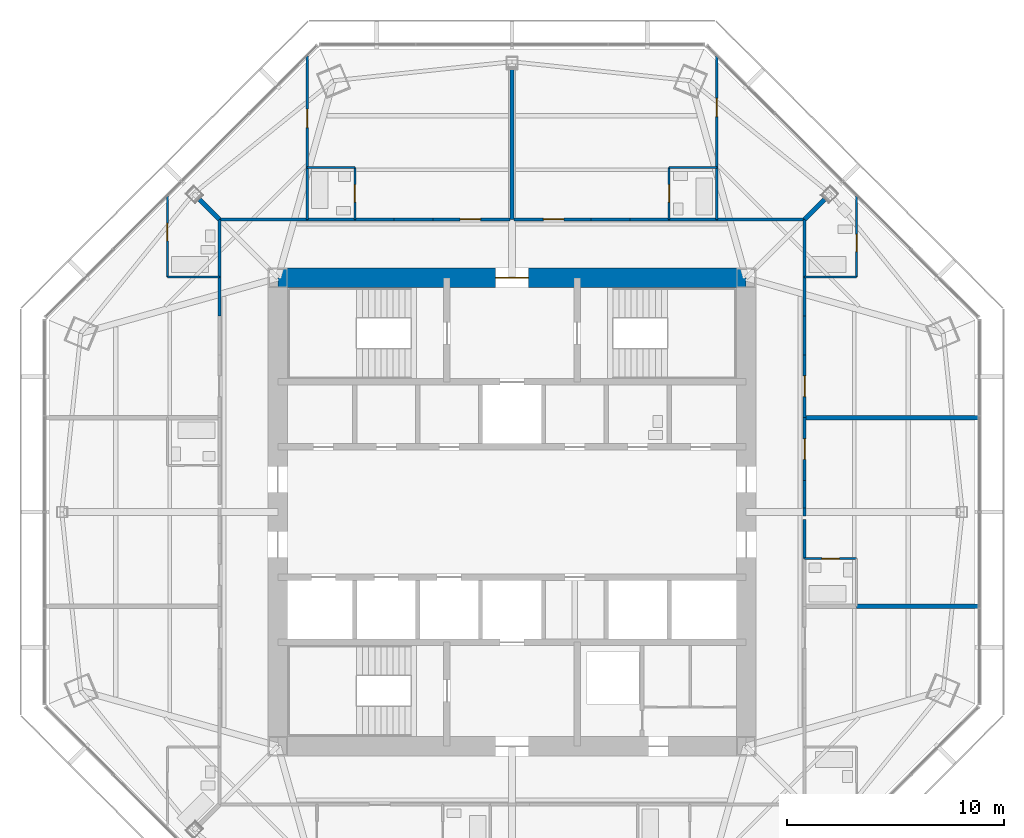
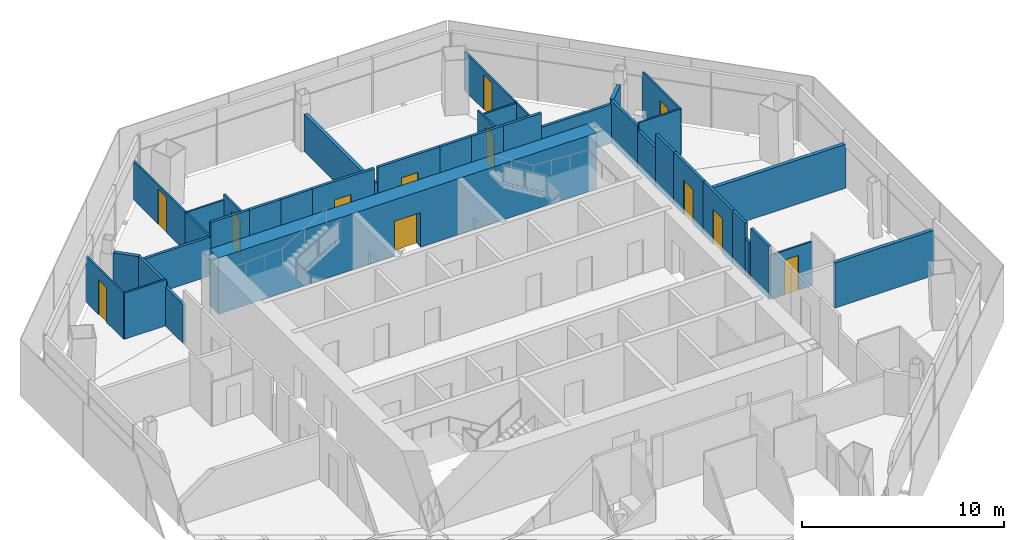
# One storey, part 11 of 15: 39 walls, 12 doors, 12 openings.
"""IFC4 building model written with IfcOpenShell, lengths in metres."""

from ifc_helpers import new_model, si_unit, direction, frame, frame_2d, origin, place, context, subcontext, project, spatial, rectangle, extrude, material, layer, layer_set, type_object, element, fill, save


model = new_model("IFC4")

# Units and contexts
model_context = context("Model", 3, precision=1e-05, world=origin(), true_north=direction((0.0, 1.0)))
body_context = subcontext(model_context, "Body", "Model", "MODEL_VIEW")
ifc_project = project(units=[si_unit("LENGTHUNIT", "METRE"), si_unit("AREAUNIT", "SQUARE_METRE"), si_unit("VOLUMEUNIT", "CUBIC_METRE"), si_unit("PLANEANGLEUNIT", "RADIAN"), si_unit("MASSUNIT", "GRAM", prefix="KILO")], contexts=[model_context])

# Site, building, storey
site_placement = place(None, origin())
site = spatial("IfcSite", under=ifc_project, at=site_placement, CompositionType="ELEMENT")
building_placement = place(site_placement, origin())
building = spatial("IfcBuilding", under=site, at=building_placement, Name="Mashrafa Tower", CompositionType="ELEMENT")
storey_placement = place(building_placement, frame((0.0, 0.0, 227.800048828125)))
storey = spatial("IfcBuildingStorey", under=building, at=storey_placement, Name="L53", CompositionType="ELEMENT", Elevation=227.800048828125)

# Walls
ifc_material_1 = material(Name="Gypsum board on steel studs", Category="steel")
ifc_layer_1 = layer(ifc_material_1, 0.199951171875)
ifc_layer_set_1 = layer_set([ifc_layer_1], Name="Acoustic partition 200 1 hr")
wall_type_1 = type_object("IfcWallType", Name="Acoustic partition 200 1 hr", PredefinedType="PARTITIONING", material=ifc_layer_set_1)
wall_1_placement = place(storey_placement, frame((21.552490234375, -4.35009765625, 0.0), z_axis=(0.0, 0.0, 1.0), x_axis=(-1.0, 0.0, 0.0)))
element("IfcWall", 1, at=wall_1_placement, inside=storey, type_object=wall_type_1, Name="Acoustic wall L53-050", PredefinedType="PARTITIONING", context=body_context, shape_type="SweptSolid", body=[
    extrude(rectangle(XDim=5.653564453125, YDim=0.199951171875, at=frame_2d((2.82666015625, 0.0))), origin(), (0.0, 0.0, 1.0), 2.730224609375),
])
wall_2_placement = place(storey_placement, frame((21.552490234375, 4.35009765625, 0.0), z_axis=(0.0, 0.0, 1.0), x_axis=(-1.0, 0.0, 0.0)))
element("IfcWall", 2, at=wall_2_placement, inside=storey, type_object=wall_type_1, Name="Acoustic wall L53-053", PredefinedType="PARTITIONING", context=body_context, shape_type="SweptSolid", body=[
    extrude(rectangle(XDim=8.052490234375, YDim=0.199951171875, at=frame_2d((4.0263671875, 0.0))), origin(), (0.0, 0.0, 1.0), 2.6640625),
])
wall_3_placement = place(storey_placement, frame((14.4287109375, 14.4287109375, 0.0), z_axis=(0.0, 0.0, 1.0), x_axis=(-0.707106781187, -0.707106781187, 0.0)))
element("IfcWall", 3, at=wall_3_placement, inside=storey, type_object=wall_type_1, Name="Acoustic wall L53-056", PredefinedType="PARTITIONING", context=body_context, shape_type="SweptSolid", body=[
    extrude(rectangle(XDim=1.3134765625, YDim=0.199951171875, at=frame_2d((0.65673828125, 0.0))), origin(), (0.0, 0.0, 1.0), 2.582763671875),
])
wall_4_placement = place(storey_placement, frame((0.0, 20.4052734375, 0.0), z_axis=(0.0, 0.0, 1.0), x_axis=(0.0, -1.0, 0.0)))
element("IfcWall", 4, at=wall_4_placement, inside=storey, type_object=wall_type_1, Name="Acoustic wall L53-061", PredefinedType="PARTITIONING", context=body_context, shape_type="SweptSolid", body=[
    extrude(rectangle(XDim=6.9052734375, YDim=0.199951171875, at=frame_2d((3.45263671875, 0.0))), origin(), (0.0, 0.0, 1.0), 2.2529296875),
])
wall_5_placement = place(storey_placement, frame((-14.4287109375, 14.4287109375, 0.0), z_axis=(0.0, 0.0, 1.0), x_axis=(0.707106781187, -0.707106781187, 0.0)))
element("IfcWall", 5, at=wall_5_placement, inside=storey, type_object=wall_type_1, Name="Acoustic wall L53-064", PredefinedType="PARTITIONING", context=body_context, shape_type="SweptSolid", body=[
    extrude(rectangle(XDim=1.3134765625, YDim=0.199951171875, at=frame_2d((0.65673828125, 0.0))), origin(), (0.0, 0.0, 1.0), 2.582763671875),
])

# Wall, opening, door
ifc_material_2 = material(Name="Concrete C50/60", Category="concrete")
ifc_layer_2 = layer(ifc_material_2, 0.89990234375)
ifc_layer_set_2 = layer_set([ifc_layer_2], Name="Core wall 900 C50/60")
wall_type_2 = type_object("IfcWallType", Name="Core wall 900 C50/60", PredefinedType="SOLIDWALL", material=ifc_layer_set_2)
wall_6_placement = place(storey_placement, frame((10.800048828125, 10.800048828125, 0.0), z_axis=(0.0, 0.0, 1.0), x_axis=(-1.0, 0.0, 0.0)))
wall_6 = element("IfcWall", 6, at=wall_6_placement, inside=storey, type_object=wall_type_2, Name="Core wall CW-N L53", PredefinedType="SOLIDWALL", context=body_context, shape_type="SweptSolid", body=[
    extrude(rectangle(XDim=21.60009765625, YDim=0.89990234375, at=frame_2d((10.800048828125, 0.0))), origin(), (0.0, 0.0, 1.0), 3.39990234375),
])
opening_1_placement = place(wall_6_placement, frame((10.050048828125, 0.0, 0.0)))
opening_1 = element("IfcOpeningElement", 7, at=opening_1_placement, cuts=wall_6, Name="Opening 53.030", PredefinedType="OPENING", context=body_context, shape_type="SweptSolid", body=[
    extrude(rectangle(XDim=1.5, YDim=2.10009765625, at=frame_2d((0.75, 1.050048828125))), frame((0.0, 0.4599609375, 0.0), z_axis=(0.0, -1.0, 0.0), x_axis=(1.0, 0.0, 0.0)), (0.0, 0.0, 1.0), 0.919921875),
])
ifc_material_3 = material(Name="Steel door", Category="steel")
door_type_1 = type_object("IfcDoorType", Name="Lobby door pair 1500 x 2100 90 min", OperationType="DOUBLE_DOOR_SINGLE_SWING", PredefinedType="DOOR", material=ifc_material_3)
door_1_placement = place(opening_1_placement, origin())
door_1 = element("IfcDoor", 8, at=door_1_placement, inside=storey, type_object=door_type_1, Name="Fire-fighting lobby F1 door L53", OperationType="DOUBLE_DOOR_SINGLE_SWING", OverallHeight=2.10009765625, OverallWidth=1.5, PredefinedType="DOOR", context=body_context, shape_type="SweptSolid", body=[
    extrude(rectangle(XDim=1.5, YDim=2.10009765625, at=frame_2d((0.75, 1.050048828125))), frame((0.0, 0.02490234375, 0.0), z_axis=(0.0, -1.0, 0.0), x_axis=(1.0, 0.0, 0.0)), (0.0, 0.0, 1.0), 0.050048828125),
])
fill(opening_1, door_1)

# Walls
ifc_material_4 = material(Name="Gypsum board on steel studs", Category="steel")
ifc_layer_3 = layer(ifc_material_4, 0.14990234375)
ifc_layer_set_3 = layer_set([ifc_layer_3], Name="Corridor partition 150 1 hr")
wall_type_3 = type_object("IfcWallType", Name="Corridor partition 150 1 hr", PredefinedType="PARTITIONING", material=ifc_layer_set_3)
wall_7_placement = place(storey_placement, frame((13.5, 0.18359375, 0.0), z_axis=(0.0, 0.0, 1.0), x_axis=(0.0, 1.0, 0.0)))
element("IfcWall", 9, at=wall_7_placement, inside=storey, type_object=wall_type_3, Name="Corridor wall L53-006", PredefinedType="PARTITIONING", context=body_context, shape_type="SweptSolid", body=[
    extrude(rectangle(XDim=1.267333984375, YDim=0.14990234375, at=frame_2d((0.6337890625, 0.0))), origin(), (0.0, 0.0, 1.0), 3.199951171875),
])
wall_8_placement = place(storey_placement, frame((13.5, -0.18359375, 0.0), z_axis=(0.0, 0.0, 1.0), x_axis=(0.0, 1.0, 0.0)))
element("IfcWall", 10, at=wall_8_placement, inside=storey, type_object=wall_type_3, Name="Corridor wall L53-007", PredefinedType="PARTITIONING", context=body_context, shape_type="SweptSolid", body=[
    extrude(rectangle(XDim=0.3671875, YDim=0.14990234375, at=frame_2d((0.18359375, 0.0))), origin(), (0.0, 0.0, 1.0), 2.2529296875),
])
wall_9_placement = place(storey_placement, frame((13.5, -2.15087890625, 0.0), z_axis=(0.0, 0.0, 1.0), x_axis=(0.0, 1.0, 0.0)))
element("IfcWall", 11, at=wall_9_placement, inside=storey, type_object=wall_type_3, Name="Corridor wall L53-008", PredefinedType="PARTITIONING", context=body_context, shape_type="SweptSolid", body=[
    extrude(rectangle(XDim=1.8017578125, YDim=0.14990234375, at=frame_2d((0.90087890625, 0.0))), origin(), (0.0, 0.0, 1.0), 3.199951171875),
])

# Wall, opening, door
wall_10_placement = place(storey_placement, frame((13.5, 1.448974609375, 0.0), z_axis=(0.0, 0.0, 1.0), x_axis=(0.0, 1.0, 0.0)))
wall_10 = element("IfcWall", 12, at=wall_10_placement, inside=storey, type_object=wall_type_3, Name="Corridor wall L53-009", PredefinedType="PARTITIONING", context=body_context, shape_type="SweptSolid", body=[
    extrude(rectangle(XDim=2.902099609375, YDim=0.14990234375, at=frame_2d((1.451171875, 0.0))), origin(), (0.0, 0.0, 1.0), 3.199951171875),
])
opening_2_placement = place(wall_10_placement, frame((0.97607421875, 0.0, 0.0)))
opening_2 = element("IfcOpeningElement", 13, at=opening_2_placement, cuts=wall_10, Name="Opening 53.004", PredefinedType="OPENING", context=body_context, shape_type="SweptSolid", body=[
    extrude(rectangle(XDim=0.949951171875, YDim=2.10009765625, at=frame_2d((0.47509765625, 1.050048828125))), frame((0.0, 0.0849609375, 0.0), z_axis=(0.0, -1.0, 0.0), x_axis=(1.0, 0.0, 0.0)), (0.0, 0.0, 1.0), 0.169921875),
])
ifc_material_5 = material(Name="Steel door", Category="steel")
door_type_2 = type_object("IfcDoorType", Name="Residence entrance door 950 x 2100 20 min", OperationType="USERDEFINED", PredefinedType="DOOR", material=ifc_material_5)
door_2_placement = place(opening_2_placement, frame((0.949951171875, 0.0, 0.0), z_axis=(0.0, 0.0, 1.0), x_axis=(-1.0, 0.0, 0.0)))
door_2 = element("IfcDoor", 14, at=door_2_placement, inside=storey, type_object=door_type_2, Name="Apartment 5302 Studio Living Room door", OperationType="SINGLE_SWING_LEFT", OverallHeight=2.10009765625, OverallWidth=0.949951171875, PredefinedType="DOOR", context=body_context, shape_type="SweptSolid", body=[
    extrude(rectangle(XDim=0.949951171875, YDim=2.10009765625, at=frame_2d((0.47509765625, 1.050048828125))), frame((0.0, 0.02490234375, 0.0), z_axis=(0.0, -1.0, 0.0), x_axis=(1.0, 0.0, 0.0)), (0.0, 0.0, 1.0), 0.050048828125),
])
fill(opening_2, door_2)

# Walls
wall_11_placement = place(storey_placement, frame((13.5, 10.84912109375, 0.0), z_axis=(0.0, 0.0, 1.0), x_axis=(0.0, 1.0, 0.0)))
element("IfcWall", 15, at=wall_11_placement, inside=storey, type_object=wall_type_3, Name="Corridor wall L53-010", PredefinedType="PARTITIONING", context=body_context, shape_type="SweptSolid", body=[
    extrude(rectangle(XDim=2.65087890625, YDim=0.14990234375, at=frame_2d((1.325439453125, 0.0))), origin(), (0.0, 0.0, 1.0), 2.582763671875),
])
wall_12_placement = place(storey_placement, frame((13.5, 7.2490234375, 0.0), z_axis=(0.0, 0.0, 1.0), x_axis=(0.0, 1.0, 0.0)))
element("IfcWall", 16, at=wall_12_placement, inside=storey, type_object=wall_type_3, Name="Corridor wall L53-011", PredefinedType="PARTITIONING", context=body_context, shape_type="SweptSolid", body=[
    extrude(rectangle(XDim=1.802001953125, YDim=0.14990234375, at=frame_2d((0.90087890625, 0.0))), origin(), (0.0, 0.0, 1.0), 3.199951171875),
])

# Wall, opening, door
wall_13_placement = place(storey_placement, frame((13.5, 4.34912109375, 0.0), z_axis=(0.0, 0.0, 1.0), x_axis=(0.0, 1.0, 0.0)))
wall_13 = element("IfcWall", 17, at=wall_13_placement, inside=storey, type_object=wall_type_3, Name="Corridor wall L53-012", PredefinedType="PARTITIONING", context=body_context, shape_type="SweptSolid", body=[
    extrude(rectangle(XDim=2.90185546875, YDim=0.14990234375, at=frame_2d((1.450927734375, 0.0))), origin(), (0.0, 0.0, 1.0), 3.199951171875),
])
opening_3_placement = place(wall_13_placement, frame((0.97607421875, 0.0, 0.0)))
opening_3 = element("IfcOpeningElement", 18, at=opening_3_placement, cuts=wall_13, Name="Opening 53.006", PredefinedType="OPENING", context=body_context, shape_type="SweptSolid", body=[
    extrude(rectangle(XDim=0.949951171875, YDim=2.10009765625, at=frame_2d((0.47509765625, 1.050048828125))), frame((0.0, 0.0849609375, 0.0), z_axis=(0.0, -1.0, 0.0), x_axis=(1.0, 0.0, 0.0)), (0.0, 0.0, 1.0), 0.169921875),
])
door_3_placement = place(opening_3_placement, frame((0.949951171875, 0.0, 0.0), z_axis=(0.0, 0.0, 1.0), x_axis=(-1.0, 0.0, 0.0)))
door_3 = element("IfcDoor", 19, at=door_3_placement, inside=storey, type_object=door_type_2, Name="Apartment 5303 Studio Living Room door", OperationType="SINGLE_SWING_RIGHT", OverallHeight=2.10009765625, OverallWidth=0.949951171875, PredefinedType="DOOR", context=body_context, shape_type="SweptSolid", body=[
    extrude(rectangle(XDim=0.949951171875, YDim=2.10009765625, at=frame_2d((0.47509765625, 1.050048828125))), frame((0.0, 0.02490234375, 0.0), z_axis=(0.0, -1.0, 0.0), x_axis=(1.0, 0.0, 0.0)), (0.0, 0.0, 1.0), 0.050048828125),
])
fill(opening_3, door_3)

# Walls
wall_14_placement = place(storey_placement, frame((13.5, 9.049072265625, 0.0), z_axis=(0.0, 0.0, 1.0), x_axis=(0.0, 1.0, 0.0)))
element("IfcWall", 20, at=wall_14_placement, inside=storey, type_object=wall_type_3, Name="Corridor wall L53-013", PredefinedType="PARTITIONING", context=body_context, shape_type="SweptSolid", body=[
    extrude(rectangle(XDim=1.802001953125, YDim=0.14990234375, at=frame_2d((0.90087890625, 0.0))), origin(), (0.0, 0.0, 1.0), 2.34423828125),
])
wall_15_placement = place(storey_placement, frame((13.5, 13.5, 0.0), z_axis=(0.0, 0.0, 1.0), x_axis=(-1.0, 0.0, 0.0)))
element("IfcWall", 21, at=wall_15_placement, inside=storey, type_object=wall_type_3, Name="Corridor wall L53-014", PredefinedType="PARTITIONING", context=body_context, shape_type="SweptSolid", body=[
    extrude(rectangle(XDim=4.051025390625, YDim=0.14990234375, at=frame_2d((2.025390625, 0.0))), origin(), (0.0, 0.0, 1.0), 2.34423828125),
])
wall_16_placement = place(storey_placement, frame((9.450927734375, 13.5, 0.0), z_axis=(0.0, 0.0, 1.0), x_axis=(-1.0, 0.0, 0.0)))
element("IfcWall", 22, at=wall_16_placement, inside=storey, type_object=wall_type_3, Name="Corridor wall L53-015", PredefinedType="PARTITIONING", context=body_context, shape_type="SweptSolid", body=[
    extrude(rectangle(XDim=2.201904296875, YDim=0.14990234375, at=frame_2d((1.10107421875, 0.0))), origin(), (0.0, 0.0, 1.0), 3.199951171875),
])
wall_17_placement = place(storey_placement, frame((5.450927734375, 13.5, 0.0), z_axis=(0.0, 0.0, 1.0), x_axis=(-1.0, 0.0, 0.0)))
element("IfcWall", 23, at=wall_17_placement, inside=storey, type_object=wall_type_3, Name="Corridor wall L53-016", PredefinedType="PARTITIONING", context=body_context, shape_type="SweptSolid", body=[
    extrude(rectangle(XDim=1.802001953125, YDim=0.14990234375, at=frame_2d((0.90087890625, 0.0))), origin(), (0.0, 0.0, 1.0), 3.199951171875),
])

# Wall, opening, door
wall_18_placement = place(storey_placement, frame((3.65087890625, 13.5, 0.0), z_axis=(0.0, 0.0, 1.0), x_axis=(-1.0, 0.0, 0.0)))
wall_18 = element("IfcWall", 24, at=wall_18_placement, inside=storey, type_object=wall_type_3, Name="Corridor wall L53-017", PredefinedType="PARTITIONING", context=body_context, shape_type="SweptSolid", body=[
    extrude(rectangle(XDim=3.548828125, YDim=0.14990234375, at=frame_2d((1.7744140625, 0.0))), origin(), (0.0, 0.0, 1.0), 3.199951171875),
])
opening_4_placement = place(wall_18_placement, frame((1.2587890625, 0.0, 0.0)))
opening_4 = element("IfcOpeningElement", 25, at=opening_4_placement, cuts=wall_18, Name="Opening 53.009", PredefinedType="OPENING", context=body_context, shape_type="SweptSolid", body=[
    extrude(rectangle(XDim=0.949951171875, YDim=2.10009765625, at=frame_2d((0.47509765625, 1.050048828125))), frame((0.0, 0.0849609375, 0.0), z_axis=(0.0, -1.0, 0.0), x_axis=(1.0, 0.0, 0.0)), (0.0, 0.0, 1.0), 0.169921875),
])
door_4_placement = place(opening_4_placement, frame((0.949951171875, 0.0, 0.0), z_axis=(0.0, 0.0, 1.0), x_axis=(-1.0, 0.0, 0.0)))
door_4 = element("IfcDoor", 26, at=door_4_placement, inside=storey, type_object=door_type_2, Name="Apartment 5304 Living Room door", OperationType="SINGLE_SWING_RIGHT", OverallHeight=2.10009765625, OverallWidth=0.949951171875, PredefinedType="DOOR", context=body_context, shape_type="SweptSolid", body=[
    extrude(rectangle(XDim=0.949951171875, YDim=2.10009765625, at=frame_2d((0.47509765625, 1.050048828125))), frame((0.0, 0.02490234375, 0.0), z_axis=(0.0, -1.0, 0.0), x_axis=(1.0, 0.0, 0.0)), (0.0, 0.0, 1.0), 0.050048828125),
])
fill(opening_4, door_4)

# Walls
wall_19_placement = place(storey_placement, frame((7.2509765625, 13.5, 0.0), z_axis=(0.0, 0.0, 1.0), x_axis=(-1.0, 0.0, 0.0)))
element("IfcWall", 27, at=wall_19_placement, inside=storey, type_object=wall_type_3, Name="Corridor wall L53-018", PredefinedType="PARTITIONING", context=body_context, shape_type="SweptSolid", body=[
    extrude(rectangle(XDim=1.802001953125, YDim=0.14990234375, at=frame_2d((0.90087890625, 0.0))), origin(), (0.0, 0.0, 1.0), 3.199951171875),
])
wall_20_placement = place(storey_placement, frame((-9.448974609375, 13.5, 0.0), z_axis=(0.0, 0.0, 1.0), x_axis=(-1.0, 0.0, 0.0)))
element("IfcWall", 28, at=wall_20_placement, inside=storey, type_object=wall_type_3, Name="Corridor wall L53-019", PredefinedType="PARTITIONING", context=body_context, shape_type="SweptSolid", body=[
    extrude(rectangle(XDim=4.051025390625, YDim=0.14990234375, at=frame_2d((2.025390625, 0.0))), origin(), (0.0, 0.0, 1.0), 2.34423828125),
])
wall_21_placement = place(storey_placement, frame((-7.2490234375, 13.5, 0.0), z_axis=(0.0, 0.0, 1.0), x_axis=(-1.0, 0.0, 0.0)))
element("IfcWall", 29, at=wall_21_placement, inside=storey, type_object=wall_type_3, Name="Corridor wall L53-020", PredefinedType="PARTITIONING", context=body_context, shape_type="SweptSolid", body=[
    extrude(rectangle(XDim=2.201904296875, YDim=0.14990234375, at=frame_2d((1.10107421875, 0.0))), origin(), (0.0, 0.0, 1.0), 3.199951171875),
])
for number, where, z_axis, x_axis, name in (
    (30, (-3.64892578125, 13.5, 0.0), (0.0, 0.0, 1.0), (-1.0, 0.0, 0.0), "Corridor wall L53-021"),
    (31, (-5.448974609375, 13.5, 0.0), (0.0, 0.0, 1.0), (-1.0, 0.0, 0.0), "Corridor wall L53-022"),
):
    element("IfcWall", number, at=place(storey_placement, frame(where, z_axis=z_axis, x_axis=x_axis)), inside=storey, type_object=wall_type_3, Name=name, PredefinedType="PARTITIONING", context=body_context, shape_type="SweptSolid", body=[
        extrude(rectangle(XDim=1.802001953125, YDim=0.14990234375, at=frame_2d((0.90087890625, 0.0))), origin(), (0.0, 0.0, 1.0), 3.199951171875),
    ])

# Wall, opening, door
wall_22_placement = place(storey_placement, frame((-0.10205078125, 13.5, 0.0), z_axis=(0.0, 0.0, 1.0), x_axis=(-1.0, 0.0, 0.0)))
wall_22 = element("IfcWall", 32, at=wall_22_placement, inside=storey, type_object=wall_type_3, Name="Corridor wall L53-023", PredefinedType="PARTITIONING", context=body_context, shape_type="SweptSolid", body=[
    extrude(rectangle(XDim=3.548828125, YDim=0.14990234375, at=frame_2d((1.7744140625, 0.0))), origin(), (0.0, 0.0, 1.0), 3.199951171875),
])
opening_5_placement = place(wall_22_placement, frame((1.34033203125, 0.0, 0.0)))
opening_5 = element("IfcOpeningElement", 33, at=opening_5_placement, cuts=wall_22, Name="Opening 53.012", PredefinedType="OPENING", context=body_context, shape_type="SweptSolid", body=[
    extrude(rectangle(XDim=0.949951171875, YDim=2.10009765625, at=frame_2d((0.47509765625, 1.050048828125))), frame((0.0, 0.0849609375, 0.0), z_axis=(0.0, -1.0, 0.0), x_axis=(1.0, 0.0, 0.0)), (0.0, 0.0, 1.0), 0.169921875),
])
door_5_placement = place(opening_5_placement, frame((0.949951171875, 0.0, 0.0), z_axis=(0.0, 0.0, 1.0), x_axis=(-1.0, 0.0, 0.0)))
door_5 = element("IfcDoor", 34, at=door_5_placement, inside=storey, type_object=door_type_2, Name="Apartment 5305 Living Room door", OperationType="SINGLE_SWING_LEFT", OverallHeight=2.10009765625, OverallWidth=0.949951171875, PredefinedType="DOOR", context=body_context, shape_type="SweptSolid", body=[
    extrude(rectangle(XDim=0.949951171875, YDim=2.10009765625, at=frame_2d((0.47509765625, 1.050048828125))), frame((0.0, 0.02490234375, 0.0), z_axis=(0.0, -1.0, 0.0), x_axis=(1.0, 0.0, 0.0)), (0.0, 0.0, 1.0), 0.050048828125),
])
fill(opening_5, door_5)

# Walls
wall_23_placement = place(storey_placement, frame((-13.5, 13.5, 0.0), z_axis=(0.0, 0.0, 1.0), x_axis=(0.0, -1.0, 0.0)))
element("IfcWall", 35, at=wall_23_placement, inside=storey, type_object=wall_type_3, Name="Corridor wall L53-024", PredefinedType="PARTITIONING", context=body_context, shape_type="SweptSolid", body=[
    extrude(rectangle(XDim=2.65087890625, YDim=0.14990234375, at=frame_2d((1.325439453125, 0.0))), origin(), (0.0, 0.0, 1.0), 2.582763671875),
])
wall_24_placement = place(storey_placement, frame((-13.5, 10.85107421875, 0.0), z_axis=(0.0, 0.0, 1.0), x_axis=(0.0, -1.0, 0.0)))
element("IfcWall", 36, at=wall_24_placement, inside=storey, type_object=wall_type_3, Name="Corridor wall L53-027", PredefinedType="PARTITIONING", context=body_context, shape_type="SweptSolid", body=[
    extrude(rectangle(XDim=1.802001953125, YDim=0.14990234375, at=frame_2d((0.90087890625, 0.0))), origin(), (0.0, 0.0, 1.0), 2.34423828125),
])

# Wall, opening, door
ifc_material_6 = material(Name="Gypsum board on steel studs", Category="steel")
ifc_layer_4 = layer(ifc_material_6, 0.10009765625)
ifc_layer_set_4 = layer_set([ifc_layer_4], Name="Partition 100")
wall_type_4 = type_object("IfcWallType", Name="Partition 100", PredefinedType="PARTITIONING", material=ifc_layer_set_4)
wall_25_placement = place(storey_placement, frame((15.89990234375, -2.14990234375, 0.0), z_axis=(0.0, 0.0, 1.0), x_axis=(-1.0, 0.0, 0.0)))
wall_25 = element("IfcWall", 37, at=wall_25_placement, inside=storey, type_object=wall_type_4, Name="Partition wall L53-052", PredefinedType="PARTITIONING", context=body_context, shape_type="SweptSolid", body=[
    extrude(rectangle(XDim=2.39990234375, YDim=0.10009765625, at=frame_2d((1.199951171875, 0.0))), origin(), (0.0, 0.0, 1.0), 2.6640625),
])
opening_6_placement = place(wall_25_placement, frame((0.800048828125, 0.0, 0.0)))
opening_6 = element("IfcOpeningElement", 38, at=opening_6_placement, cuts=wall_25, Name="Opening 53.003", PredefinedType="OPENING", context=body_context, shape_type="SweptSolid", body=[
    extrude(rectangle(XDim=0.800048828125, YDim=2.10009765625, at=frame_2d((0.39990234375, 1.050048828125))), frame((0.0, 0.06005859375, 0.0), z_axis=(0.0, -1.0, 0.0), x_axis=(1.0, 0.0, 0.0)), (0.0, 0.0, 1.0), 0.1201171875),
])
ifc_material_7 = material(Name="Timber door", Category="wood")
door_type_3 = type_object("IfcDoorType", Name="Bathroom door 800 x 2100", OperationType="USERDEFINED", PredefinedType="DOOR", material=ifc_material_7)
door_6_placement = place(opening_6_placement, origin())
door_6 = element("IfcDoor", 39, at=door_6_placement, inside=storey, type_object=door_type_3, Name="Apartment 5302 Bathroom door", OperationType="SINGLE_SWING_LEFT", OverallHeight=2.10009765625, OverallWidth=0.800048828125, PredefinedType="DOOR", context=body_context, shape_type="SweptSolid", body=[
    extrude(rectangle(XDim=0.800048828125, YDim=2.10009765625, at=frame_2d((0.39990234375, 1.050048828125))), frame((0.0, 0.02490234375, 0.0), z_axis=(0.0, -1.0, 0.0), x_axis=(1.0, 0.0, 0.0)), (0.0, 0.0, 1.0), 0.050048828125),
])
fill(opening_6, door_6)

# Wall
wall_26_placement = place(storey_placement, frame((13.5, 10.85009765625, 0.0), z_axis=(0.0, 0.0, 1.0), x_axis=(1.0, 0.0, 0.0)))
element("IfcWall", 40, at=wall_26_placement, inside=storey, type_object=wall_type_4, Name="Partition wall L53-054", PredefinedType="PARTITIONING", context=body_context, shape_type="SweptSolid", body=[
    extrude(rectangle(XDim=2.39990234375, YDim=0.10009765625, at=frame_2d((1.199951171875, 0.0))), origin(), (0.0, 0.0, 1.0), 2.7861328125),
])

# Wall, opening, door
wall_27_placement = place(storey_placement, frame((15.89990234375, 10.85009765625, 0.0), z_axis=(0.0, 0.0, 1.0), x_axis=(0.0, 1.0, 0.0)))
wall_27 = element("IfcWall", 41, at=wall_27_placement, inside=storey, type_object=wall_type_4, Name="Partition wall L53-055", PredefinedType="PARTITIONING", context=body_context, shape_type="SweptSolid", body=[
    extrude(rectangle(XDim=3.7333984375, YDim=0.10009765625, at=frame_2d((1.86669921875, 0.0))), origin(), (0.0, 0.0, 1.0), 2.783447265625),
])
opening_7_placement = place(wall_27_placement, frame((1.159423828125, 0.0, 0.0)))
opening_7 = element("IfcOpeningElement", 42, at=opening_7_placement, cuts=wall_27, Name="Opening 53.005", PredefinedType="OPENING", context=body_context, shape_type="SweptSolid", body=[
    extrude(rectangle(XDim=0.800048828125, YDim=2.10009765625, at=frame_2d((0.39990234375, 1.050048828125))), frame((0.0, 0.06005859375, 0.0), z_axis=(0.0, -1.0, 0.0), x_axis=(1.0, 0.0, 0.0)), (0.0, 0.0, 1.0), 0.1201171875),
])
door_7_placement = place(opening_7_placement, origin())
door_7 = element("IfcDoor", 43, at=door_7_placement, inside=storey, type_object=door_type_3, Name="Apartment 5303 Bathroom door", OperationType="SINGLE_SWING_LEFT", OverallHeight=2.10009765625, OverallWidth=0.800048828125, PredefinedType="DOOR", context=body_context, shape_type="SweptSolid", body=[
    extrude(rectangle(XDim=0.800048828125, YDim=2.10009765625, at=frame_2d((0.39990234375, 1.050048828125))), frame((0.0, 0.02490234375, 0.0), z_axis=(0.0, -1.0, 0.0), x_axis=(1.0, 0.0, 0.0)), (0.0, 0.0, 1.0), 0.050048828125),
])
fill(opening_7, door_7)

# Wall
wall_28_placement = place(storey_placement, frame((9.449951171875, 15.90087890625, 0.0), z_axis=(0.0, 0.0, 1.0), x_axis=(0.0, -1.0, 0.0)))
element("IfcWall", 44, at=wall_28_placement, inside=storey, type_object=wall_type_4, Name="Partition wall L53-057", PredefinedType="PARTITIONING", context=body_context, shape_type="SweptSolid", body=[
    extrude(rectangle(XDim=2.40087890625, YDim=0.10009765625, at=frame_2d((1.200439453125, 0.0))), origin(), (0.0, 0.0, 1.0), 2.34423828125),
])

# Wall, opening, door
wall_29_placement = place(storey_placement, frame((9.449951171875, 21.03369140625, 0.0), z_axis=(0.0, 0.0, 1.0), x_axis=(0.0, -1.0, 0.0)))
wall_29 = element("IfcWall", 45, at=wall_29_placement, inside=storey, type_object=wall_type_4, Name="Partition wall L53-058", PredefinedType="PARTITIONING", context=body_context, shape_type="SweptSolid", body=[
    extrude(rectangle(XDim=5.134765625, YDim=0.10009765625, at=frame_2d((2.5673828125, 0.0))), origin(), (0.0, 0.0, 1.0), 2.34423828125),
])
opening_8_placement = place(wall_29_placement, frame((1.945556640625, 0.0, 0.0)))
opening_8 = element("IfcOpeningElement", 46, at=opening_8_placement, cuts=wall_29, Name="Opening 53.007", PredefinedType="OPENING", context=body_context, shape_type="SweptSolid", body=[
    extrude(rectangle(XDim=0.85009765625, YDim=2.10009765625, at=frame_2d((0.425048828125, 1.050048828125))), frame((0.0, 0.06005859375, 0.0), z_axis=(0.0, -1.0, 0.0), x_axis=(1.0, 0.0, 0.0)), (0.0, 0.0, 1.0), 0.1201171875),
])
ifc_material_8 = material(Name="Timber door", Category="wood")
door_type_4 = type_object("IfcDoorType", Name="Bedroom door 850 x 2100", OperationType="USERDEFINED", PredefinedType="DOOR", material=ifc_material_8)
door_8_placement = place(opening_8_placement, origin())
door_8 = element("IfcDoor", 47, at=door_8_placement, inside=storey, type_object=door_type_4, Name="Apartment 5304 Bedroom 1 door", OperationType="SINGLE_SWING_LEFT", OverallHeight=2.10009765625, OverallWidth=0.85009765625, PredefinedType="DOOR", context=body_context, shape_type="SweptSolid", body=[
    extrude(rectangle(XDim=0.85009765625, YDim=2.10009765625, at=frame_2d((0.425048828125, 1.050048828125))), frame((0.0, 0.02490234375, 0.0), z_axis=(0.0, -1.0, 0.0), x_axis=(1.0, 0.0, 0.0)), (0.0, 0.0, 1.0), 0.050048828125),
])
fill(opening_8, door_8)

# Wall
wall_30_placement = place(storey_placement, frame((9.449951171875, 15.89990234375, 0.0), z_axis=(0.0, 0.0, 1.0), x_axis=(-1.0, 0.0, 0.0)))
element("IfcWall", 48, at=wall_30_placement, inside=storey, type_object=wall_type_4, Name="Partition wall L53-059", PredefinedType="PARTITIONING", context=body_context, shape_type="SweptSolid", body=[
    extrude(rectangle(XDim=2.199951171875, YDim=0.10009765625, at=frame_2d((1.10009765625, 0.0))), origin(), (0.0, 0.0, 1.0), 2.34423828125),
])

# Wall, opening, door
wall_31_placement = place(storey_placement, frame((7.25, 15.89990234375, 0.0), z_axis=(0.0, 0.0, 1.0), x_axis=(0.0, -1.0, 0.0)))
wall_31 = element("IfcWall", 49, at=wall_31_placement, inside=storey, type_object=wall_type_4, Name="Partition wall L53-060", PredefinedType="PARTITIONING", context=body_context, shape_type="SweptSolid", body=[
    extrude(rectangle(XDim=2.39990234375, YDim=0.10009765625, at=frame_2d((1.199951171875, 0.0))), origin(), (0.0, 0.0, 1.0), 2.6640625),
])
opening_9_placement = place(wall_31_placement, frame((0.800048828125, 0.0, 0.0)))
opening_9 = element("IfcOpeningElement", 50, at=opening_9_placement, cuts=wall_31, Name="Opening 53.008", PredefinedType="OPENING", context=body_context, shape_type="SweptSolid", body=[
    extrude(rectangle(XDim=0.800048828125, YDim=2.10009765625, at=frame_2d((0.39990234375, 1.050048828125))), frame((0.0, 0.06005859375, 0.0), z_axis=(0.0, -1.0, 0.0), x_axis=(1.0, 0.0, 0.0)), (0.0, 0.0, 1.0), 0.1201171875),
])
door_9_placement = place(opening_9_placement, origin())
door_9 = element("IfcDoor", 51, at=door_9_placement, inside=storey, type_object=door_type_3, Name="Apartment 5304 Bathroom door", OperationType="SINGLE_SWING_LEFT", OverallHeight=2.10009765625, OverallWidth=0.800048828125, PredefinedType="DOOR", context=body_context, shape_type="SweptSolid", body=[
    extrude(rectangle(XDim=0.800048828125, YDim=2.10009765625, at=frame_2d((0.39990234375, 1.050048828125))), frame((0.0, 0.02490234375, 0.0), z_axis=(0.0, -1.0, 0.0), x_axis=(1.0, 0.0, 0.0)), (0.0, 0.0, 1.0), 0.050048828125),
])
fill(opening_9, door_9)

# Wall
wall_32_placement = place(storey_placement, frame((-9.449951171875, 13.5, 0.0), z_axis=(0.0, 0.0, 1.0), x_axis=(0.0, 1.0, 0.0)))
element("IfcWall", 52, at=wall_32_placement, inside=storey, type_object=wall_type_4, Name="Partition wall L53-062", PredefinedType="PARTITIONING", context=body_context, shape_type="SweptSolid", body=[
    extrude(rectangle(XDim=2.40087890625, YDim=0.10009765625, at=frame_2d((1.200439453125, 0.0))), origin(), (0.0, 0.0, 1.0), 2.34423828125),
])

# Wall, opening, door
wall_33_placement = place(storey_placement, frame((-9.449951171875, 15.89892578125, 0.0), z_axis=(0.0, 0.0, 1.0), x_axis=(0.0, 1.0, 0.0)))
wall_33 = element("IfcWall", 53, at=wall_33_placement, inside=storey, type_object=wall_type_4, Name="Partition wall L53-063", PredefinedType="PARTITIONING", context=body_context, shape_type="SweptSolid", body=[
    extrude(rectangle(XDim=5.134765625, YDim=0.10009765625, at=frame_2d((2.5673828125, 0.0))), origin(), (0.0, 0.0, 1.0), 2.34423828125),
])
opening_10_placement = place(wall_33_placement, frame((1.8349609375, 0.0, 0.0)))
opening_10 = element("IfcOpeningElement", 54, at=opening_10_placement, cuts=wall_33, Name="Opening 53.010", PredefinedType="OPENING", context=body_context, shape_type="SweptSolid", body=[
    extrude(rectangle(XDim=0.85009765625, YDim=2.10009765625, at=frame_2d((0.425048828125, 1.050048828125))), frame((0.0, 0.06005859375, 0.0), z_axis=(0.0, -1.0, 0.0), x_axis=(1.0, 0.0, 0.0)), (0.0, 0.0, 1.0), 0.1201171875),
])
door_10_placement = place(opening_10_placement, origin())
door_10 = element("IfcDoor", 55, at=door_10_placement, inside=storey, type_object=door_type_4, Name="Apartment 5305 Bedroom 1 door", OperationType="SINGLE_SWING_RIGHT", OverallHeight=2.10009765625, OverallWidth=0.85009765625, PredefinedType="DOOR", context=body_context, shape_type="SweptSolid", body=[
    extrude(rectangle(XDim=0.85009765625, YDim=2.10009765625, at=frame_2d((0.425048828125, 1.050048828125))), frame((0.0, 0.02490234375, 0.0), z_axis=(0.0, -1.0, 0.0), x_axis=(1.0, 0.0, 0.0)), (0.0, 0.0, 1.0), 0.050048828125),
])
fill(opening_10, door_10)

wall_34_placement = place(storey_placement, frame((-7.25, 13.5, 0.0), z_axis=(0.0, 0.0, 1.0), x_axis=(0.0, 1.0, 0.0)))
wall_34 = element("IfcWall", 56, at=wall_34_placement, inside=storey, type_object=wall_type_4, Name="Partition wall L53-065", PredefinedType="PARTITIONING", context=body_context, shape_type="SweptSolid", body=[
    extrude(rectangle(XDim=2.39990234375, YDim=0.10009765625, at=frame_2d((1.199951171875, 0.0))), origin(), (0.0, 0.0, 1.0), 2.6640625),
])
opening_11_placement = place(wall_34_placement, frame((0.800048828125, 0.0, 0.0)))
opening_11 = element("IfcOpeningElement", 57, at=opening_11_placement, cuts=wall_34, Name="Opening 53.011", PredefinedType="OPENING", context=body_context, shape_type="SweptSolid", body=[
    extrude(rectangle(XDim=0.800048828125, YDim=2.10009765625, at=frame_2d((0.39990234375, 1.050048828125))), frame((0.0, 0.06005859375, 0.0), z_axis=(0.0, -1.0, 0.0), x_axis=(1.0, 0.0, 0.0)), (0.0, 0.0, 1.0), 0.1201171875),
])
door_11_placement = place(opening_11_placement, origin())
door_11 = element("IfcDoor", 58, at=door_11_placement, inside=storey, type_object=door_type_3, Name="Apartment 5305 Bathroom door", OperationType="SINGLE_SWING_RIGHT", OverallHeight=2.10009765625, OverallWidth=0.800048828125, PredefinedType="DOOR", context=body_context, shape_type="SweptSolid", body=[
    extrude(rectangle(XDim=0.800048828125, YDim=2.10009765625, at=frame_2d((0.39990234375, 1.050048828125))), frame((0.0, 0.02490234375, 0.0), z_axis=(0.0, -1.0, 0.0), x_axis=(1.0, 0.0, 0.0)), (0.0, 0.0, 1.0), 0.050048828125),
])
fill(opening_11, door_11)

# Wall
wall_35_placement = place(storey_placement, frame((-7.25, 15.89990234375, 0.0), z_axis=(0.0, 0.0, 1.0), x_axis=(-1.0, 0.0, 0.0)))
element("IfcWall", 59, at=wall_35_placement, inside=storey, type_object=wall_type_4, Name="Partition wall L53-066", PredefinedType="PARTITIONING", context=body_context, shape_type="SweptSolid", body=[
    extrude(rectangle(XDim=2.199951171875, YDim=0.10009765625, at=frame_2d((1.10009765625, 0.0))), origin(), (0.0, 0.0, 1.0), 2.34423828125),
])

# Wall, opening, door
wall_36_placement = place(storey_placement, frame((-15.89990234375, 14.58349609375, 0.0), z_axis=(0.0, 0.0, 1.0), x_axis=(0.0, -1.0, 0.0)))
wall_36 = element("IfcWall", 60, at=wall_36_placement, inside=storey, type_object=wall_type_4, Name="Partition wall L53-067", PredefinedType="PARTITIONING", context=body_context, shape_type="SweptSolid", body=[
    extrude(rectangle(XDim=3.7333984375, YDim=0.10009765625, at=frame_2d((1.86669921875, 0.0))), origin(), (0.0, 0.0, 1.0), 2.783447265625),
])
opening_12_placement = place(wall_36_placement, frame((1.27001953125, 0.0, 0.0)))
opening_12 = element("IfcOpeningElement", 61, at=opening_12_placement, cuts=wall_36, Name="Opening 53.013", PredefinedType="OPENING", context=body_context, shape_type="SweptSolid", body=[
    extrude(rectangle(XDim=0.800048828125, YDim=2.10009765625, at=frame_2d((0.39990234375, 1.050048828125))), frame((0.0, 0.06005859375, 0.0), z_axis=(0.0, -1.0, 0.0), x_axis=(1.0, 0.0, 0.0)), (0.0, 0.0, 1.0), 0.1201171875),
])
door_12_placement = place(opening_12_placement, origin())
door_12 = element("IfcDoor", 62, at=door_12_placement, inside=storey, type_object=door_type_3, Name="Apartment 5306 Bathroom door", OperationType="SINGLE_SWING_LEFT", OverallHeight=2.10009765625, OverallWidth=0.800048828125, PredefinedType="DOOR", context=body_context, shape_type="SweptSolid", body=[
    extrude(rectangle(XDim=0.800048828125, YDim=2.10009765625, at=frame_2d((0.39990234375, 1.050048828125))), frame((0.0, 0.02490234375, 0.0), z_axis=(0.0, -1.0, 0.0), x_axis=(1.0, 0.0, 0.0)), (0.0, 0.0, 1.0), 0.050048828125),
])
fill(opening_12, door_12)

# Wall
wall_37_placement = place(storey_placement, frame((-15.89990234375, 10.85009765625, 0.0), z_axis=(0.0, 0.0, 1.0), x_axis=(1.0, 0.0, 0.0)))
element("IfcWall", 63, at=wall_37_placement, inside=storey, type_object=wall_type_4, Name="Partition wall L53-068", PredefinedType="PARTITIONING", context=body_context, shape_type="SweptSolid", body=[
    extrude(rectangle(XDim=2.39990234375, YDim=0.10009765625, at=frame_2d((1.199951171875, 0.0))), origin(), (0.0, 0.0, 1.0), 2.7861328125),
])

save(model, "model.ifc")
